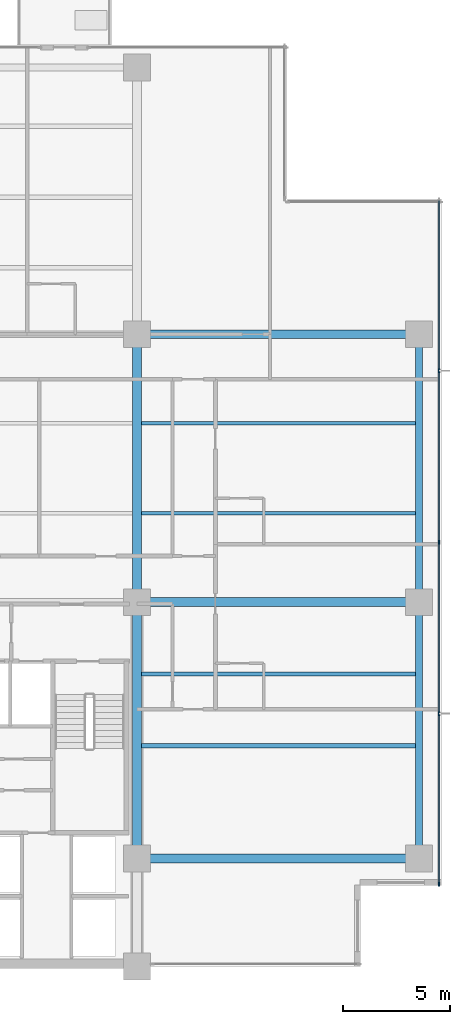
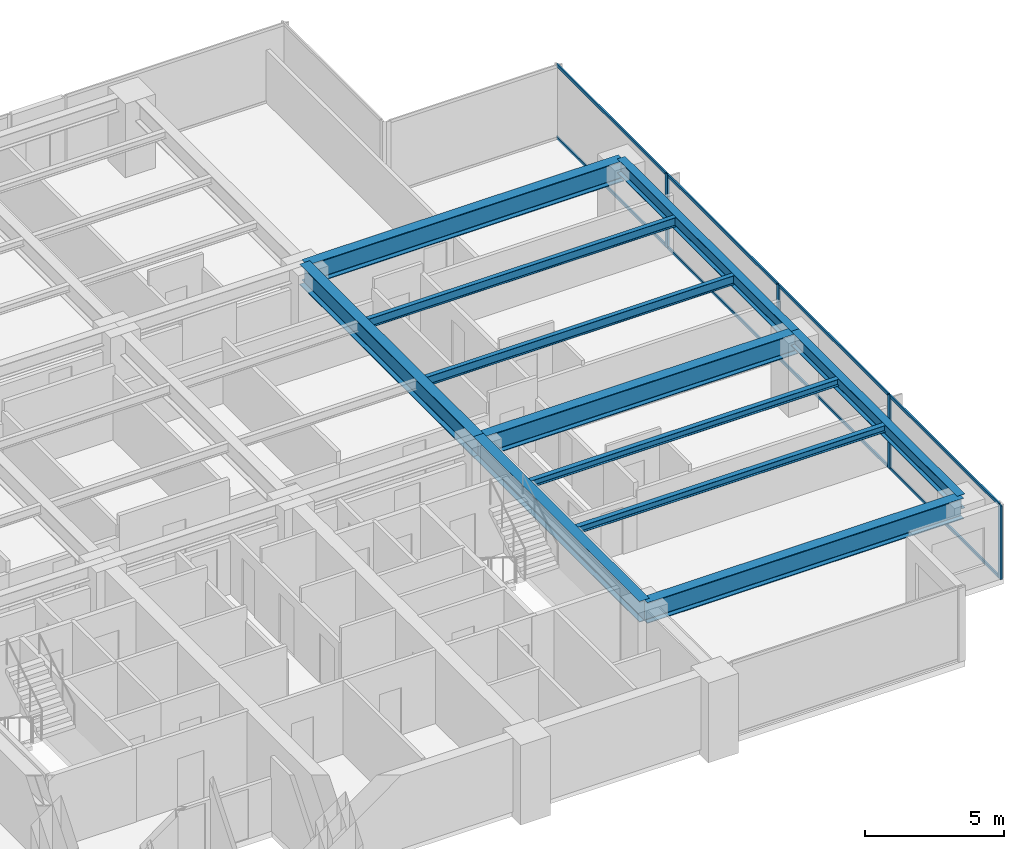
# One storey, part 4 of 17: 12 members, 11 beams, 1 element without a shape of its own.
"""IFC4 building model written with IfcOpenShell, lengths in metres."""

from ifc_helpers import new_model, si_unit, direction, frame, origin, origin_2d, place, context, subcontext, project, spatial, rectangle, i_section, extrude, material, layer, layer_set, material_profile, profile_set, type_object, element, aggregate, save


model = new_model("IFC4")

# Units and contexts
model_context = context("Model", 3, precision=1e-05, world=origin(), true_north=direction((0.0, 1.0)))
body_context = subcontext(model_context, "Body", "Model", "MODEL_VIEW")
ifc_project = project(units=[si_unit("LENGTHUNIT", "METRE"), si_unit("AREAUNIT", "SQUARE_METRE"), si_unit("VOLUMEUNIT", "CUBIC_METRE"), si_unit("PLANEANGLEUNIT", "RADIAN"), si_unit("MASSUNIT", "GRAM", prefix="KILO")], contexts=[model_context])

# Site, building, storey
site_placement = place(None, origin())
site = spatial("IfcSite", under=ifc_project, at=site_placement, CompositionType="ELEMENT")
building_placement = place(site_placement, origin())
building = spatial("IfcBuilding", under=site, at=building_placement, Name="Qalmaran Belvedere Hotel", CompositionType="ELEMENT")
storey_placement = place(building_placement, frame((0.0, 0.0, 112.699951171875)))
storey = spatial("IfcBuildingStorey", under=building, at=storey_placement, Name="L28", CompositionType="ELEMENT", Elevation=112.699951171875)

# Beams
ifc_material_1 = material(Name="Steel S355JR", Category="steel")
ifc_material_profile_1 = material_profile(ifc_material_1, i_section(OverallWidth=0.202880859375, OverallDepth=0.302978515625, WebThickness=0.007568359375, FlangeThickness=0.01318359375, FilletRadius=0.012939453125, at=origin_2d()), Name="W310X60")
ifc_profile_set_1 = profile_set([ifc_material_profile_1], Name="Steel S355JR")
beam_type_1 = type_object("IfcBeamType", Name="BM-JST-W310X60", PredefinedType="JOIST", material=ifc_profile_set_1)
for number, where, z_axis, x_axis, name in (
    (1, (45.007080078125, 13.800048828125, 3.088623046875), (1.0, 0.0, 0.0), (0.0, 1.0, 0.0), "L28 East Wing Joist 039"),
    (2, (45.007080078125, 17.14990234375, 3.088623046875), (1.0, 0.0, 0.0), (0.0, 1.0, 0.0), "L28 East Wing Joist 041"),
):
    element("IfcBeam", number, at=place(storey_placement, frame(where, z_axis=z_axis, x_axis=x_axis)), inside=storey, type_object=beam_type_1, Name=name, PredefinedType="JOIST", context=body_context, shape_type="SweptSolid", body=[
        extrude(i_section(OverallWidth=0.202880859375, OverallDepth=0.302978515625, WebThickness=0.007568359375, FlangeThickness=0.01318359375, FilletRadius=0.012939453125, at=origin_2d()), origin(), (0.0, 0.0, 1.0), 12.781494140625),
    ])
ifc_material_profile_2 = material_profile(ifc_material_1, i_section(OverallWidth=0.41796875, OverallDepth=0.912109375, WebThickness=0.019287109375, FlangeThickness=0.031982421875, FilletRadius=0.02392578125, at=origin_2d()), Name="W920X342")
ifc_profile_set_2 = profile_set([ifc_material_profile_2], Name="Steel S355JR")
beam_type_2 = type_object("IfcBeamType", Name="BM-PG2-W920X342", PredefinedType="USERDEFINED", material=ifc_profile_set_2)
beam_1_placement = place(storey_placement, frame((44.800048828125, 20.5, 2.783935546875), z_axis=(0.0, 1.0, 0.0), x_axis=(-1.0, 0.0, 0.0)))
element("IfcBeam", 3, at=beam_1_placement, inside=storey, type_object=beam_type_2, Name="L28 Mid-Plate N-S Girder 20", ObjectType="GIRDER", PredefinedType="USERDEFINED", context=body_context, shape_type="SweptSolid", body=[
    extrude(i_section(OverallWidth=0.41796875, OverallDepth=0.912109375, WebThickness=0.019287109375, FlangeThickness=0.031982421875, FilletRadius=0.02392578125, at=origin_2d()), origin(), (0.0, 0.0, 1.0), 12.5),
])
beam_2_placement = place(storey_placement, frame((44.800048828125, 8.550048828125, 2.783935546875), z_axis=(0.0, 1.0, 0.0), x_axis=(-1.0, 0.0, 0.0)))
element("IfcBeam", 4, at=beam_2_placement, inside=storey, type_object=beam_type_2, Name="L28 East Core Edge Girder B", ObjectType="GIRDER", PredefinedType="USERDEFINED", context=body_context, shape_type="SweptSolid", body=[
    extrude(i_section(OverallWidth=0.41796875, OverallDepth=0.912109375, WebThickness=0.019287109375, FlangeThickness=0.031982421875, FilletRadius=0.02392578125, at=origin_2d()), origin(), (0.0, 0.0, 1.0), 11.949951171875),
])
for number, where, z_axis, x_axis, name in (
    (5, (44.800048828125, 8.550048828125, 2.783935546875), (1.0, 0.0, 0.0), (0.0, 1.0, 0.0), "L28 East Wing Girder 25"),
    (6, (44.800048828125, 20.5, 2.783935546875), (1.0, 0.0, 0.0), (0.0, 1.0, 0.0), "L28 East Wing Girder 26"),
    (7, (44.800048828125, 33.0, 2.783935546875), (1.0, 0.0, 0.0), (0.0, 1.0, 0.0), "L28 East Wing Girder 27"),
):
    element("IfcBeam", number, at=place(storey_placement, frame(where, z_axis=z_axis, x_axis=x_axis)), inside=storey, type_object=beam_type_2, Name=name, ObjectType="GIRDER", PredefinedType="USERDEFINED", context=body_context, shape_type="SweptSolid", body=[
        extrude(i_section(OverallWidth=0.41796875, OverallDepth=0.912109375, WebThickness=0.019287109375, FlangeThickness=0.031982421875, FilletRadius=0.02392578125, at=origin_2d()), origin(), (0.0, 0.0, 1.0), 13.14990234375),
    ])
ifc_material_profile_3 = material_profile(ifc_material_1, i_section(OverallWidth=0.177978515625, OverallDepth=0.406982421875, WebThickness=0.0078125, FlangeThickness=0.0126953125, FilletRadius=0.014892578125, at=origin_2d()), Name="W410X60")
ifc_profile_set_3 = profile_set([ifc_material_profile_3], Name="Steel S355JR")
beam_type_3 = type_object("IfcBeamType", Name="BM-SB2-W410X60", PredefinedType="BEAM", material=ifc_profile_set_3)
for number, where, z_axis, x_axis, name in (
    (8, (45.007080078125, 24.64990234375, 3.03662109375), (1.0, 0.0, 0.0), (0.0, 1.0, 0.0), "L28 East Secondary Beam 032"),
    (9, (45.007080078125, 28.85009765625, 3.03662109375), (1.0, 0.0, 0.0), (0.0, 1.0, 0.0), "L28 East Secondary Beam 037"),
):
    element("IfcBeam", number, at=place(storey_placement, frame(where, z_axis=z_axis, x_axis=x_axis)), inside=storey, type_object=beam_type_3, Name=name, PredefinedType="BEAM", context=body_context, shape_type="SweptSolid", body=[
        extrude(i_section(OverallWidth=0.177978515625, OverallDepth=0.406982421875, WebThickness=0.0078125, FlangeThickness=0.0126953125, FilletRadius=0.014892578125, at=origin_2d()), origin(), (0.0, 0.0, 1.0), 12.781494140625),
    ])
ifc_material_profile_4 = material_profile(ifc_material_1, i_section(OverallWidth=0.326904296875, OverallDepth=0.6220703125, WebThickness=0.015380859375, FlangeThickness=0.0244140625, FilletRadius=0.02001953125, at=origin_2d()), Name="W610X195")
ifc_profile_set_4 = profile_set([ifc_material_profile_4], Name="Steel S355JR")
beam_type_4 = type_object("IfcBeamType", Name="BM-SP1-W610X195", PredefinedType="SPANDREL", material=ifc_profile_set_4)
beam_3_placement = place(storey_placement, frame((57.949951171875, 8.550048828125, 2.928955078125), z_axis=(0.0, 1.0, 0.0), x_axis=(-1.0, 0.0, 0.0)))
element("IfcBeam", 10, at=beam_3_placement, inside=storey, type_object=beam_type_4, Name="L28 Perimeter Spandrel 03", PredefinedType="SPANDREL", context=body_context, shape_type="SweptSolid", body=[
    extrude(i_section(OverallWidth=0.326904296875, OverallDepth=0.6220703125, WebThickness=0.015380859375, FlangeThickness=0.0244140625, FilletRadius=0.02001953125, at=origin_2d()), origin(), (0.0, 0.0, 1.0), 11.949951171875),
])
beam_4_placement = place(storey_placement, frame((57.949951171875, 20.5, 2.928955078125), z_axis=(0.0, 1.0, 0.0), x_axis=(-1.0, 0.0, 0.0)))
element("IfcBeam", 11, at=beam_4_placement, inside=storey, type_object=beam_type_4, Name="L28 Perimeter Spandrel 04", PredefinedType="SPANDREL", context=body_context, shape_type="SweptSolid", body=[
    extrude(i_section(OverallWidth=0.326904296875, OverallDepth=0.6220703125, WebThickness=0.015380859375, FlangeThickness=0.0244140625, FilletRadius=0.02001953125, at=origin_2d()), origin(), (0.0, 0.0, 1.0), 12.5),
])

# Curtain wall, members
ifc_material_2 = material(Name="Anodised Bronze Aluminium", Category="aluminium")
ifc_layer = layer(ifc_material_2, 0.199951171875, Name="Anodised Bronze Aluminium")
ifc_layer_set = layer_set([ifc_layer], Name="Anodised Bronze Aluminium")
curtain_wall_type = type_object("IfcCurtainWallType", Name="CW3-TOWER-LOWMID", PredefinedType="NOTDEFINED", material=ifc_layer_set)
curtain_wall_placement = place(storey_placement, origin())
curtain_wall = element("IfcCurtainWall", 12, at=curtain_wall_placement, inside=storey, type_object=curtain_wall_type, Name="L28 Curtain Wall CW3", PredefinedType="NOTDEFINED")
ifc_material_profile_5 = material_profile(ifc_material_2, rectangle(XDim=0.070068359375, YDim=0.18994140625, at=origin_2d()), Name="CWM70X190")
ifc_profile_set_5 = profile_set([ifc_material_profile_5], Name="Anodised Bronze Aluminium")
member_type_1 = type_object("IfcMemberType", Name="CWM-70X190", PredefinedType="MULLION", material=ifc_profile_set_5)
member_1_placement = place(storey_placement, frame((58.8798828125, 7.3349609375, 0.0), z_axis=(0.0, 0.0, 1.0), x_axis=(-1.0, 0.0, 0.0)))
member_1 = element("IfcMember", 13, at=member_1_placement, type_object=member_type_1, Name="CW3 mullion 1", PredefinedType="MULLION", context=body_context, shape_type="SweptSolid", body=[
    extrude(rectangle(XDim=0.070068359375, YDim=0.18994140625, at=origin_2d()), origin(), (0.0, 0.0, 1.0), 3.239990234375),
])
member_2_placement = place(storey_placement, frame((58.8798828125, 15.300048828125, 0.0), z_axis=(0.0, 0.0, 1.0), x_axis=(-1.0, 0.0, 0.0)))
member_2 = element("IfcMember", 14, at=member_2_placement, type_object=member_type_1, Name="CW3 mullion 2", PredefinedType="MULLION", context=body_context, shape_type="SweptSolid", body=[
    extrude(rectangle(XDim=0.070068359375, YDim=0.18994140625, at=origin_2d()), origin(), (0.0, 0.0, 1.0), 3.239990234375),
])
member_3_placement = place(storey_placement, frame((58.8798828125, 23.300048828125, 0.0), z_axis=(0.0, 0.0, 1.0), x_axis=(-1.0, 0.0, 0.0)))
member_3 = element("IfcMember", 15, at=member_3_placement, type_object=member_type_1, Name="CW3 mullion 3", PredefinedType="MULLION", context=body_context, shape_type="SweptSolid", body=[
    extrude(rectangle(XDim=0.070068359375, YDim=0.18994140625, at=origin_2d()), origin(), (0.0, 0.0, 1.0), 3.239990234375),
])
member_4_placement = place(storey_placement, frame((58.8798828125, 31.300048828125, 0.0), z_axis=(0.0, 0.0, 1.0), x_axis=(-1.0, 0.0, 0.0)))
member_4 = element("IfcMember", 16, at=member_4_placement, type_object=member_type_1, Name="CW3 mullion 4", PredefinedType="MULLION", context=body_context, shape_type="SweptSolid", body=[
    extrude(rectangle(XDim=0.070068359375, YDim=0.18994140625, at=origin_2d()), origin(), (0.0, 0.0, 1.0), 3.239990234375),
])
ifc_material_profile_6 = material_profile(ifc_material_2, rectangle(XDim=0.06494140625, YDim=0.1298828125, at=origin_2d()), Name="CWT65X130")
ifc_profile_set_6 = profile_set([ifc_material_profile_6], Name="Anodised Bronze Aluminium")
member_type_2 = type_object("IfcMemberType", Name="CWT-65X130", PredefinedType="USERDEFINED", material=ifc_profile_set_6)
member_5_placement = place(storey_placement, frame((58.8798828125, 7.3701171875, 0.032470703125), z_axis=(0.0, 1.0, 0.0), x_axis=(-1.0, 0.0, 0.0)))
member_5 = element("IfcMember", 17, at=member_5_placement, type_object=member_type_2, Name="CW3 transom 1.1", ObjectType="TRANSOM", PredefinedType="USERDEFINED", context=body_context, shape_type="SweptSolid", body=[
    extrude(rectangle(XDim=0.06494140625, YDim=0.1298828125, at=origin_2d()), origin(), (0.0, 0.0, 1.0), 7.894775390625),
])
member_6_placement = place(storey_placement, frame((58.8798828125, 7.3701171875, 3.20751953125), z_axis=(0.0, 1.0, 0.0), x_axis=(-1.0, 0.0, 0.0)))
member_6 = element("IfcMember", 18, at=member_6_placement, type_object=member_type_2, Name="CW3 transom 1.2", ObjectType="TRANSOM", PredefinedType="USERDEFINED", context=body_context, shape_type="SweptSolid", body=[
    extrude(rectangle(XDim=0.06494140625, YDim=0.1298828125, at=origin_2d()), origin(), (0.0, 0.0, 1.0), 7.894775390625),
])
member_7_placement = place(storey_placement, frame((58.8798828125, 15.3349609375, 0.032470703125), z_axis=(0.0, 1.0, 0.0), x_axis=(-1.0, 0.0, 0.0)))
member_7 = element("IfcMember", 19, at=member_7_placement, type_object=member_type_2, Name="CW3 transom 2.1", ObjectType="TRANSOM", PredefinedType="USERDEFINED", context=body_context, shape_type="SweptSolid", body=[
    extrude(rectangle(XDim=0.06494140625, YDim=0.1298828125, at=origin_2d()), origin(), (0.0, 0.0, 1.0), 7.929931640625),
])
member_8_placement = place(storey_placement, frame((58.8798828125, 15.3349609375, 3.20751953125), z_axis=(0.0, 1.0, 0.0), x_axis=(-1.0, 0.0, 0.0)))
member_8 = element("IfcMember", 20, at=member_8_placement, type_object=member_type_2, Name="CW3 transom 2.2", ObjectType="TRANSOM", PredefinedType="USERDEFINED", context=body_context, shape_type="SweptSolid", body=[
    extrude(rectangle(XDim=0.06494140625, YDim=0.1298828125, at=origin_2d()), origin(), (0.0, 0.0, 1.0), 7.929931640625),
])
member_9_placement = place(storey_placement, frame((58.8798828125, 23.3349609375, 0.032470703125), z_axis=(0.0, 1.0, 0.0), x_axis=(-1.0, 0.0, 0.0)))
member_9 = element("IfcMember", 21, at=member_9_placement, type_object=member_type_2, Name="CW3 transom 3.1", ObjectType="TRANSOM", PredefinedType="USERDEFINED", context=body_context, shape_type="SweptSolid", body=[
    extrude(rectangle(XDim=0.06494140625, YDim=0.1298828125, at=origin_2d()), origin(), (0.0, 0.0, 1.0), 7.929931640625),
])
member_10_placement = place(storey_placement, frame((58.8798828125, 23.3349609375, 3.20751953125), z_axis=(0.0, 1.0, 0.0), x_axis=(-1.0, 0.0, 0.0)))
member_10 = element("IfcMember", 22, at=member_10_placement, type_object=member_type_2, Name="CW3 transom 3.2", ObjectType="TRANSOM", PredefinedType="USERDEFINED", context=body_context, shape_type="SweptSolid", body=[
    extrude(rectangle(XDim=0.06494140625, YDim=0.1298828125, at=origin_2d()), origin(), (0.0, 0.0, 1.0), 7.929931640625),
])
member_11_placement = place(storey_placement, frame((58.8798828125, 31.3349609375, 0.032470703125), z_axis=(0.0, 1.0, 0.0), x_axis=(-1.0, 0.0, 0.0)))
member_11 = element("IfcMember", 23, at=member_11_placement, type_object=member_type_2, Name="CW3 transom 4.1", ObjectType="TRANSOM", PredefinedType="USERDEFINED", context=body_context, shape_type="SweptSolid", body=[
    extrude(rectangle(XDim=0.06494140625, YDim=0.1298828125, at=origin_2d()), origin(), (0.0, 0.0, 1.0), 7.89501953125),
])
member_12_placement = place(storey_placement, frame((58.8798828125, 31.3349609375, 3.20751953125), z_axis=(0.0, 1.0, 0.0), x_axis=(-1.0, 0.0, 0.0)))
member_12 = element("IfcMember", 24, at=member_12_placement, type_object=member_type_2, Name="CW3 transom 4.2", ObjectType="TRANSOM", PredefinedType="USERDEFINED", context=body_context, shape_type="SweptSolid", body=[
    extrude(rectangle(XDim=0.06494140625, YDim=0.1298828125, at=origin_2d()), origin(), (0.0, 0.0, 1.0), 7.89501953125),
])
aggregate(curtain_wall, [member_1, member_2, member_3, member_4, member_5, member_6, member_7, member_8, member_9, member_10, member_11, member_12])

save(model, "model.ifc")
